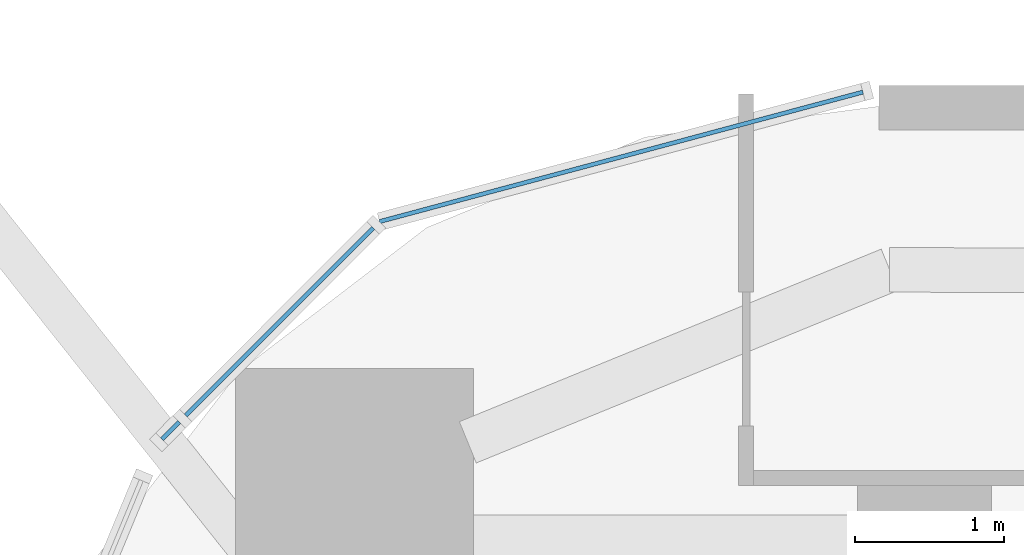
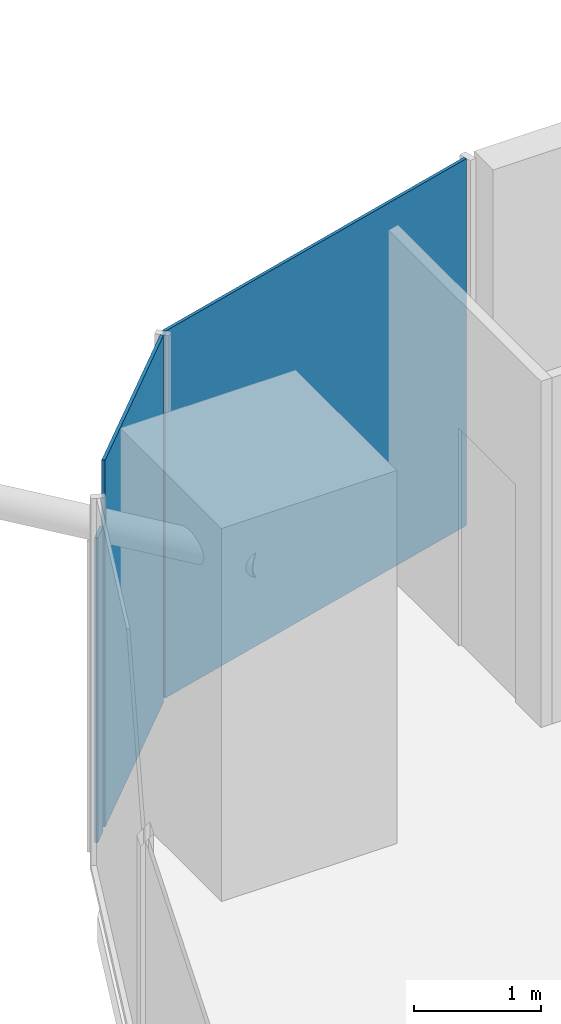
# One storey, part 22 of 33: 3 plates, 3 elements without a shape of their own.
"""IFC4 building model written with IfcOpenShell, lengths in metres."""

from ifc_helpers import new_model, si_unit, direction, frame, origin, origin_2d, place, context, subcontext, project, spatial, rectangle, extrude, material, layer, layer_set, type_object, element, aggregate, save


model = new_model("IFC4")

# Units and contexts
model_context = context("Model", 3, precision=1e-05, world=origin(), true_north=direction((0.0, 1.0)))
body_context = subcontext(model_context, "Body", "Model", "MODEL_VIEW")
ifc_project = project(units=[si_unit("LENGTHUNIT", "METRE"), si_unit("AREAUNIT", "SQUARE_METRE"), si_unit("VOLUMEUNIT", "CUBIC_METRE"), si_unit("PLANEANGLEUNIT", "RADIAN"), si_unit("MASSUNIT", "GRAM", prefix="KILO")], contexts=[model_context])

# Site, building, storey
site_placement = place(None, origin())
site = spatial("IfcSite", under=ifc_project, at=site_placement, CompositionType="ELEMENT")
building_placement = place(site_placement, origin())
building = spatial("IfcBuilding", under=site, at=building_placement, Name="Marenta Gate Hotel Tower", CompositionType="ELEMENT")
storey_placement = place(building_placement, frame((0.0, 0.0, 137.300048828125)))
storey = spatial("IfcBuildingStorey", under=building, at=storey_placement, Name="L31", CompositionType="ELEMENT", Elevation=137.300048828125)

# Curtain wall, plate
ifc_material_1 = material(Name="Tinted insulated glass in bronze anodised frame", Category="glass")
ifc_layer_1 = layer(ifc_material_1, 0.1201171875)
ifc_layer_set_1 = layer_set([ifc_layer_1], Name="Tinted insulated glass in bronze anodised frame")
curtain_wall_type = type_object("IfcCurtainWallType", Name="Tower unitised curtain wall CW1", PredefinedType="NOTDEFINED", material=ifc_layer_set_1)
curtain_wall_1_placement = place(storey_placement, origin())
curtain_wall_1 = element("IfcCurtainWall", 1, at=curtain_wall_1_placement, inside=storey, type_object=curtain_wall_type, Name="CW1 run G00", PredefinedType="NOTDEFINED")
ifc_material_2 = material(Name="Tinted insulated glass", Category="glass")
ifc_layer_2 = layer(ifc_material_2, 0.028076171875)
ifc_layer_set_2 = layer_set([ifc_layer_2], Name="Tinted insulated glass")
plate_type = type_object("IfcPlateType", Name="Glass panel CW1 28 mm tinted insulated unit", PredefinedType="CURTAIN_PANEL", material=ifc_layer_set_2)
plate_1_placement = place(storey_placement, frame((-23.04052734375, 27.759765625, 0.059814453125), z_axis=(0.0, 0.0, 1.0), x_axis=(-0.96593059835, -0.258801234873, 0.0)))
plate_1 = element("IfcPlate", 2, at=plate_1_placement, type_object=plate_type, Name="CW1 panel 1.1", PredefinedType="CURTAIN_PANEL", context=body_context, shape_type="SweptSolid", body=[
    extrude(rectangle(XDim=3.366943359375, YDim=0.028076171875, at=origin_2d()), origin(), (0.0, 0.0, 1.0), 3.5400390625),
])
aggregate(curtain_wall_1, [plate_1])

curtain_wall_2_placement = place(storey_placement, origin())
curtain_wall_2 = element("IfcCurtainWall", 3, at=curtain_wall_2_placement, inside=storey, type_object=curtain_wall_type, Name="CW1 run G01", PredefinedType="NOTDEFINED")
plate_2_placement = place(storey_placement, frame((-25.340087890625, 26.650634765625, 0.059814453125), z_axis=(0.0, 0.0, 1.0), x_axis=(-0.707106781187, -0.707106781187, 0.0)))
plate_2 = element("IfcPlate", 4, at=plate_2_placement, type_object=plate_type, Name="CW1 panel 1.1", PredefinedType="CURTAIN_PANEL", context=body_context, shape_type="SweptSolid", body=[
    extrude(rectangle(XDim=1.784912109375, YDim=0.028076171875, at=origin_2d()), origin(), (0.0, 0.0, 1.0), 3.5400390625),
])
aggregate(curtain_wall_2, [plate_2])

curtain_wall_3_placement = place(storey_placement, origin())
curtain_wall_3 = element("IfcCurtainWall", 5, at=curtain_wall_3_placement, inside=storey, type_object=curtain_wall_type, Name="CW1 run G02", PredefinedType="NOTDEFINED")
plate_3_placement = place(storey_placement, frame((-26.07177734375, 25.9189453125, 0.06005859375), z_axis=(0.0, 0.0, 1.0), x_axis=(-0.707106781187, -0.707106781187, 0.0)))
plate_3 = element("IfcPlate", 6, at=plate_3_placement, type_object=plate_type, Name="CW1 panel 1.1", PredefinedType="CURTAIN_PANEL", context=body_context, shape_type="SweptSolid", body=[
    extrude(rectangle(XDim=0.164306640625, YDim=0.028076171875, at=origin_2d()), origin(), (0.0, 0.0, 1.0), 2.9404296875),
])
aggregate(curtain_wall_3, [plate_3])

save(model, "model.ifc")
